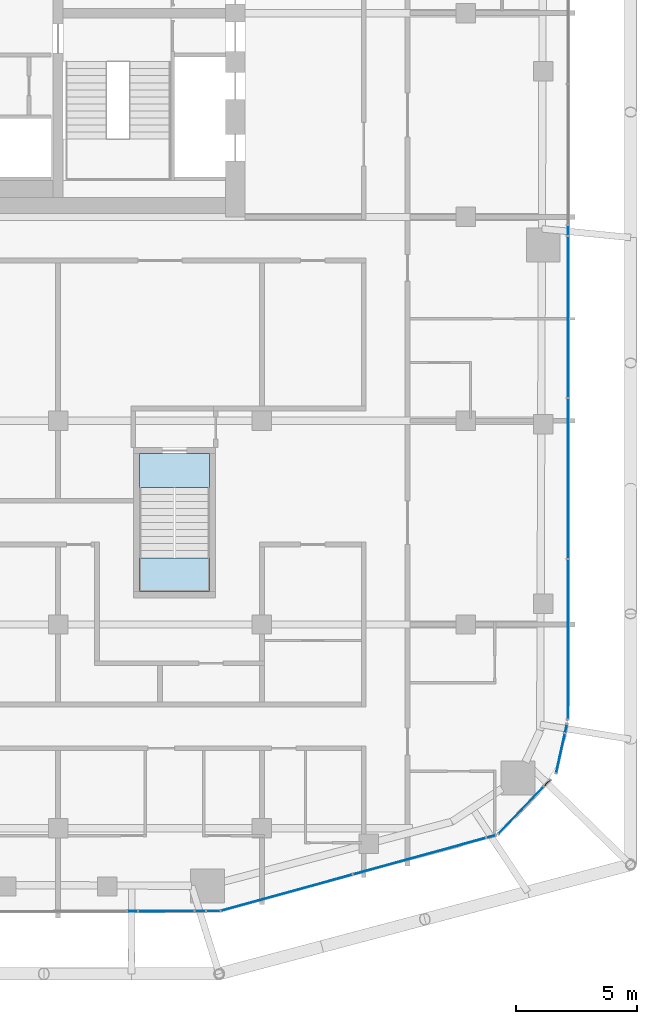
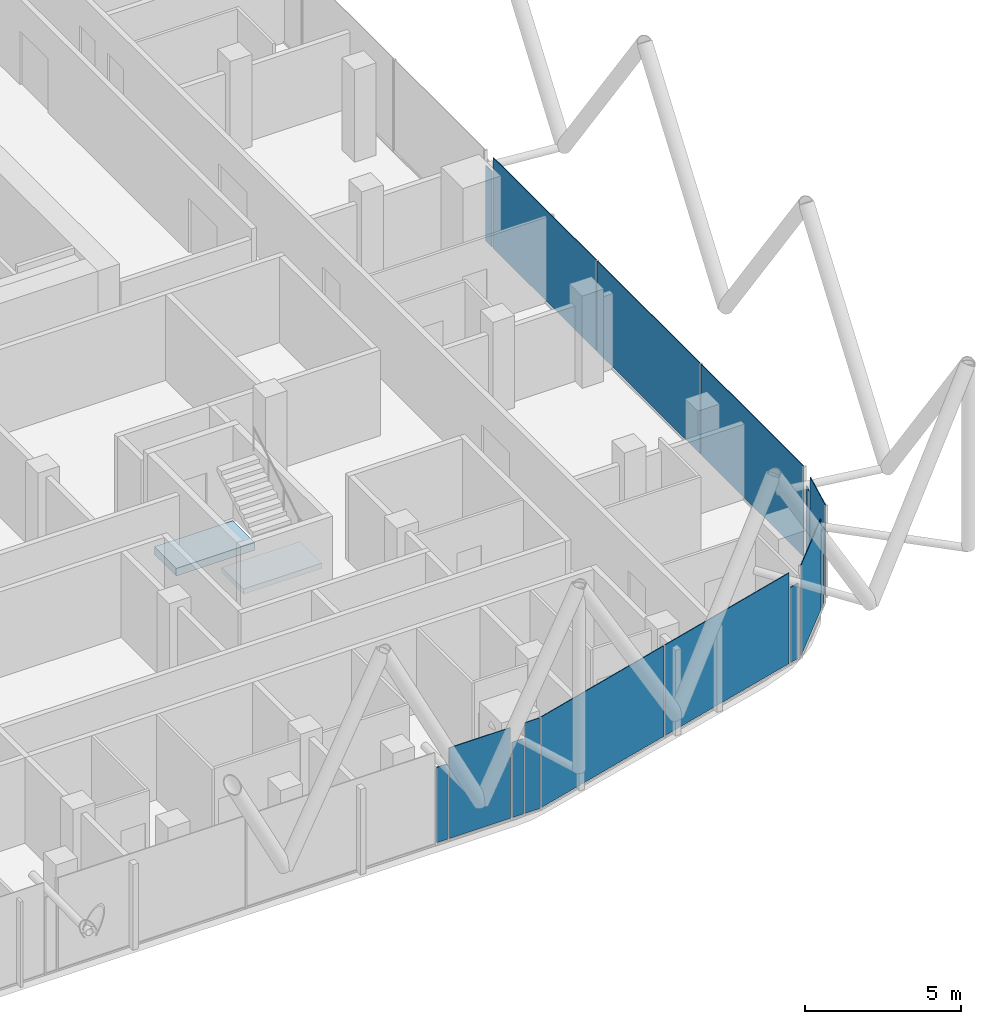
# One storey, part 18 of 31: 15 plates, 2 slabs, 13 elements without a shape of their own.
"""IFC4 building model written with IfcOpenShell, lengths in metres."""

import ifcopenshell
import ifcopenshell.guid

model = None  # the IFC model being written
_history = None  # IfcOwnerHistory: only IFC2X3 demands one
_inside = {}  # id of a spatial element -> (the spatial element, [elements in it])
_under = {}  # id of a project, library or spatial element -> (it, [spatial elements below it])
_declared = {}  # id of a project -> (the project, [libraries it declares])
_typed = {}  # id of a type object -> (the type object, [elements of that type])
_made_of = {}  # id of a material, layer set ... -> (it, [elements and type objects made of it])


def new_model(schema):
    """Start an empty IFC model of exactly this schema.

    Asked for "IFC4X3", IfcOpenShell would pick the latest addendum, in which some entities
    have other attributes; the version numbers below select the first issue.
    IFC2X3 requires an IfcOwnerHistory on every rooted entity: one is made here for all.
    """
    global model, _history
    if schema == "IFC4X3":
        model = ifcopenshell.file(schema_version=(4, 3, 0, 0))
    else:
        model = ifcopenshell.file(schema=schema)
    _inside.clear()
    _under.clear()
    _declared.clear()
    _typed.clear()
    _made_of.clear()
    _history = None
    if model.schema == "IFC2X3":
        org = make("IfcOrganization", Name="unknown")
        user = make(
            "IfcPersonAndOrganization",
            ThePerson=make("IfcPerson", FamilyName="unknown"),
            TheOrganization=org,
        )
        app = make(
            "IfcApplication",
            ApplicationDeveloper=org,
            Version="unknown",
            ApplicationFullName="unknown",
            ApplicationIdentifier="unknown",
        )
        _history = make(
            "IfcOwnerHistory",
            OwningUser=user,
            OwningApplication=app,
            ChangeAction="ADDED",
            CreationDate=0,
        )
    return model


def make(cls, **values):
    """One entity of the class cls with the attributes given. An attribute that is None is left unset."""
    return model.create_entity(
        cls, **{name: value for name, value in values.items() if value is not None}
    )


def rooted(cls, **values):
    """An entity with a GlobalId (a new one), such as an element, a storey or a relation."""
    return make(cls, GlobalId=ifcopenshell.guid.new(), OwnerHistory=_history, **values)


def si_unit(unit_type, name, prefix=None):
    """IfcSIUnit, for example si_unit("LENGTHUNIT", "METRE", prefix="MILLI")."""
    return make("IfcSIUnit", UnitType=unit_type, Prefix=prefix, Name=name)


def assignment(units):
    """IfcUnitAssignment: the units of a project."""
    return None if units is None else make("IfcUnitAssignment", Units=units)


def point(xyz):
    """IfcCartesianPoint."""
    return None if xyz is None else make("IfcCartesianPoint", Coordinates=xyz)


def direction(xyz):
    """IfcDirection."""
    return None if xyz is None else make("IfcDirection", DirectionRatios=xyz)


def frame(location, z_axis=None, x_axis=None):
    """IfcAxis2Placement3D, a coordinate frame: its origin and axes. An axis left out is left unset."""
    return make(
        "IfcAxis2Placement3D",
        Location=point(location),
        Axis=direction(z_axis),
        RefDirection=direction(x_axis),
    )


def frame_2d(location, x_axis=None):
    """IfcAxis2Placement2D, a coordinate frame in the plane: its origin and x axis."""
    return make(
        "IfcAxis2Placement2D", Location=point(location), RefDirection=direction(x_axis)
    )


def origin():
    """The frame at (0, 0, 0) with its axes left unset."""
    return frame((0.0, 0.0, 0.0))


def origin_2d():
    """The frame at (0, 0) in the plane with its x axis left unset."""
    return frame_2d((0.0, 0.0))


def place(relative_to, where):
    """IfcLocalPlacement: puts the frame where relative to a parent placement (None: the world)."""
    return make(
        "IfcLocalPlacement", PlacementRelTo=relative_to, RelativePlacement=where
    )


def context(
    kind, dimensions, precision=None, world=None, true_north=None, identifier=None
):
    """IfcGeometricRepresentationContext, for example the 3D "Model" context."""
    return make(
        "IfcGeometricRepresentationContext",
        ContextIdentifier=identifier,
        ContextType=kind,
        CoordinateSpaceDimension=dimensions,
        Precision=precision,
        WorldCoordinateSystem=world,
        TrueNorth=true_north,
    )


def subcontext(parent, identifier, kind, view, scale=None):
    """IfcGeometricRepresentationSubContext, for example "Body" below "Model"."""
    return make(
        "IfcGeometricRepresentationSubContext",
        ContextIdentifier=identifier,
        ContextType=kind,
        ParentContext=parent,
        TargetScale=scale,
        TargetView=view,
    )


def project(units=None, contexts=None):
    """IfcProject with its units and contexts."""
    return rooted(
        "IfcProject",
        Name="project",
        RepresentationContexts=contexts,
        UnitsInContext=assignment(units),
    )


def spatial(cls, under=None, at=None, **own):
    """A site, building, storey or space (cls), placed at a placement, below another one or the project."""
    s = rooted(cls, ObjectPlacement=at, **own)
    if under is not None:
        _under.setdefault(under.id(), (under, []))[1].append(s)
    return s


def polyline(points):
    """IfcPolyline through the points."""
    return make("IfcPolyline", Points=[point(p) for p in points])


def profile(cls, at=None, kind="AREA", **sizes):
    """A parametric profile (cls). Its sizes go by their IFC names, for example OverallWidth=200.0."""
    return make(cls, ProfileType=kind, Position=at, **sizes)


def rectangle(**sizes):
    """IfcRectangleProfileDef."""
    return profile("IfcRectangleProfileDef", **sizes)


def outline(outer, holes=None, kind="AREA"):
    """IfcArbitraryClosedProfileDef: a profile drawn as a closed curve; with holes, ...WithVoids."""
    if holes is None:
        return make("IfcArbitraryClosedProfileDef", ProfileType=kind, OuterCurve=outer)
    return make(
        "IfcArbitraryProfileDefWithVoids",
        ProfileType=kind,
        OuterCurve=outer,
        InnerCurves=holes,
    )


def extrude(swept, where, along, depth):
    """IfcExtrudedAreaSolid: the profile swept, set in the frame where, extruded along a direction by depth."""
    return make(
        "IfcExtrudedAreaSolid",
        SweptArea=swept,
        Position=where,
        ExtrudedDirection=direction(along),
        Depth=depth,
    )


def shape(context_of_items, identifier, shape_type, items):
    """IfcShapeRepresentation: the items that make up one representation, for example the "Body"."""
    return make(
        "IfcShapeRepresentation",
        ContextOfItems=context_of_items,
        RepresentationIdentifier=identifier,
        RepresentationType=shape_type,
        Items=items,
    )


def material(Name=None, Category=None):
    """IfcMaterial."""
    return make("IfcMaterial", Name=Name, Category=Category)


def layer(
    of_material, thickness, ventilated=None, Name=None, Category=None, Priority=None
):
    """IfcMaterialLayer: one layer of a wall or slab, of a material (None: an air gap)."""
    return make(
        "IfcMaterialLayer",
        Material=of_material,
        LayerThickness=thickness,
        IsVentilated=ventilated,
        Name=Name,
        Category=Category,
        Priority=Priority,
    )


def layer_set(layers, Name=None):
    """IfcMaterialLayerSet."""
    return make("IfcMaterialLayerSet", MaterialLayers=layers, LayerSetName=Name)


def made_of(thing, what):
    """Note that an element or type object is made of a material, layer set ...; save() writes the relation."""
    if what is not None:
        _made_of.setdefault(what.id(), (what, []))[1].append(thing)
    return thing


def type_object(cls, material=None, **own):
    """A type object (cls), such as IfcWallType, which elements share."""
    return made_of(rooted(cls, **own), material)


def element(
    cls,
    number,
    at=None,
    inside=None,
    cuts=None,
    type_object=None,
    material=None,
    context=None,
    identifier="Body",
    shape_type=None,
    held_by="IfcProductDefinitionShape",
    body=None,
    shapes=None,
    **own,
):
    """One element of the class cls, such as IfcWall. Its Tag is "e" and its number.

    at: its placement. inside: the storey or other place that contains it. cuts: it is an
    opening in that element (IfcRelVoidsElement). A single representation is given by context,
    identifier, shape_type and body (its items); several are given by shapes. held_by: the class
    of the entity that holds the representations. save() writes the other relations.
    """
    e = rooted(cls, Tag="e%d" % number, ObjectPlacement=at, **own)
    if body is not None:
        shapes = [shape(context, identifier, shape_type, body)]
    if shapes is not None:
        e.Representation = make(held_by, Representations=shapes)
    if inside is not None:
        _inside.setdefault(inside.id(), (inside, []))[1].append(e)
    if cuts is not None:
        rooted(
            "IfcRelVoidsElement", RelatingBuildingElement=cuts, RelatedOpeningElement=e
        )
    if type_object is not None:
        _typed.setdefault(type_object.id(), (type_object, []))[1].append(e)
    return made_of(e, material)


def aggregate(whole, parts):
    """IfcRelAggregates: a whole, such as a stair, and the parts it consists of."""
    return rooted("IfcRelAggregates", RelatingObject=whole, RelatedObjects=parts)


def save(model, path):
    """Write the relations noted so far, then the file.

    IfcRelAggregates (storeys below a building ...), IfcRelContainedInSpatialStructure (elements
    in a storey), IfcRelDefinesByType, IfcRelAssociatesMaterial and IfcRelDeclares: one each for
    every whole, place, type object, material and project.
    """
    for whole, parts in _under.values():
        aggregate(whole, parts)
    for where, things in _inside.values():
        rooted(
            "IfcRelContainedInSpatialStructure",
            RelatedElements=things,
            RelatingStructure=where,
        )
    for kind, things in _typed.values():
        rooted("IfcRelDefinesByType", RelatedObjects=things, RelatingType=kind)
    for what, things in _made_of.values():
        rooted("IfcRelAssociatesMaterial", RelatedObjects=things, RelatingMaterial=what)
    for by, libraries in _declared.values():
        rooted("IfcRelDeclares", RelatingContext=by, RelatedDefinitions=libraries)
    model.write(path)


model = new_model("IFC4")

# Units and contexts
model_context = context("Model", 3, precision=1e-05, world=origin(), true_north=direction((0.0, 1.0)))
body_context = subcontext(model_context, "Body", "Model", "MODEL_VIEW")
ifc_project = project(units=[si_unit("LENGTHUNIT", "METRE"), si_unit("AREAUNIT", "SQUARE_METRE"), si_unit("VOLUMEUNIT", "CUBIC_METRE"), si_unit("PLANEANGLEUNIT", "RADIAN"), si_unit("MASSUNIT", "GRAM", prefix="KILO")], contexts=[model_context])

# Site, building, storey
site_placement = place(None, origin())
site = spatial("IfcSite", under=ifc_project, at=site_placement, CompositionType="ELEMENT")
building_placement = place(site_placement, origin())
building = spatial("IfcBuilding", under=site, at=building_placement, Name="Marenta Gate Hotel Tower", CompositionType="ELEMENT")
storey_placement = place(building_placement, frame((0.0, 0.0, 205.699951171875)))
storey = spatial("IfcBuildingStorey", under=building, at=storey_placement, Name="L47", CompositionType="ELEMENT", Elevation=205.699951171875)

# Curtain wall, plate
ifc_material_1 = material(Name="Tinted insulated glass in bronze anodised frame", Category="glass")
ifc_layer_1 = layer(ifc_material_1, 0.1201171875)
ifc_layer_set_1 = layer_set([ifc_layer_1], Name="Tinted insulated glass in bronze anodised frame")
curtain_wall_type = type_object("IfcCurtainWallType", Name="Tower unitised curtain wall CW1", PredefinedType="NOTDEFINED", material=ifc_layer_set_1)
curtain_wall_1_placement = place(storey_placement, origin())
curtain_wall_1 = element("IfcCurtainWall", 1, at=curtain_wall_1_placement, inside=storey, type_object=curtain_wall_type, Name="CW1 run G22", PredefinedType="NOTDEFINED")
ifc_material_2 = material(Name="Tinted insulated glass", Category="glass")
ifc_layer_2 = layer(ifc_material_2, 0.028076171875)
ifc_layer_set_2 = layer_set([ifc_layer_2], Name="Tinted insulated glass")
plate_type = type_object("IfcPlateType", Name="Glass panel CW1 28 mm tinted insulated unit", PredefinedType="CURTAIN_PANEL", material=ifc_layer_set_2)
plate_1_placement = place(storey_placement, frame((7.265869140625, -28.618408203125, 0.06005859375), z_axis=(0.0, 0.0, 1.0), x_axis=(0.999998441306, 0.001765611905, 0.0)))
plate_1 = element("IfcPlate", 2, at=plate_1_placement, type_object=plate_type, Name="CW1 panel 1.1", PredefinedType="CURTAIN_PANEL", context=body_context, shape_type="SweptSolid", body=[
    extrude(rectangle(XDim=0.39306640625, YDim=0.028076171875, at=origin_2d()), origin(), (0.0, 0.0, 1.0), 2.9404296875),
])
aggregate(curtain_wall_1, [plate_1])

curtain_wall_2_placement = place(storey_placement, origin())
curtain_wall_2 = element("IfcCurtainWall", 3, at=curtain_wall_2_placement, inside=storey, type_object=curtain_wall_type, Name="CW1 run G23", PredefinedType="NOTDEFINED")
plate_2_placement = place(storey_placement, frame((8.65869140625, -28.6162109375, 0.06005859375), z_axis=(0.0, 0.0, 1.0), x_axis=(0.999998672819, 0.001629220957, 0.0)))
plate_2 = element("IfcPlate", 4, at=plate_2_placement, type_object=plate_type, Name="CW1 panel 1.1", PredefinedType="CURTAIN_PANEL", context=body_context, shape_type="SweptSolid", body=[
    extrude(rectangle(XDim=2.2724609375, YDim=0.028076171875, at=origin_2d()), origin(), (0.0, 0.0, 1.0), 3.5400390625),
])
aggregate(curtain_wall_2, [plate_2])

curtain_wall_3_placement = place(storey_placement, origin())
curtain_wall_3 = element("IfcCurtainWall", 5, at=curtain_wall_3_placement, inside=storey, type_object=curtain_wall_type, Name="CW1 run G24", PredefinedType="NOTDEFINED")
plate_3_placement = place(storey_placement, frame((10.06201171875, -28.614013671875, 0.06005859375), z_axis=(0.0, 0.0, 1.0), x_axis=(0.999998577531, 0.001686693784, 0.0)))
plate_3 = element("IfcPlate", 6, at=plate_3_placement, type_object=plate_type, Name="CW1 panel 1.1", PredefinedType="CURTAIN_PANEL", context=body_context, shape_type="SweptSolid", body=[
    extrude(rectangle(XDim=0.414306640625, YDim=0.028076171875, at=origin_2d()), origin(), (0.0, 0.0, 1.0), 2.9404296875),
])
aggregate(curtain_wall_3, [plate_3])

curtain_wall_4_placement = place(storey_placement, origin())
curtain_wall_4 = element("IfcCurtainWall", 7, at=curtain_wall_4_placement, inside=storey, type_object=curtain_wall_type, Name="CW1 run G25", PredefinedType="NOTDEFINED")
plate_4_placement = place(storey_placement, frame((10.601318359375, -28.613037109375, 0.06005859375), z_axis=(0.0, 0.0, 1.0), x_axis=(0.999998631715, 0.001654257461, 0.0)))
plate_4 = element("IfcPlate", 8, at=plate_4_placement, type_object=plate_type, Name="CW1 panel 1.1", PredefinedType="CURTAIN_PANEL", context=body_context, shape_type="SweptSolid", body=[
    extrude(rectangle(XDim=0.54443359375, YDim=0.028076171875, at=origin_2d()), origin(), (0.0, 0.0, 1.0), 3.5400390625),
])
aggregate(curtain_wall_4, [plate_4])

# Curtain wall, plates
curtain_wall_5_placement = place(storey_placement, origin())
curtain_wall_5 = element("IfcCurtainWall", 9, at=curtain_wall_5_placement, inside=storey, type_object=curtain_wall_type, Name="CW1 run G26", PredefinedType="NOTDEFINED")
plate_5_placement = place(storey_placement, frame((13.624755859375, -27.85546875, 0.06005859375), z_axis=(0.0, 0.0, 1.0), x_axis=(0.964167605329, 0.265293853742, 0.0)))
plate_5 = element("IfcPlate", 10, at=plate_5_placement, type_object=plate_type, Name="CW1 panel 1.1", PredefinedType="CURTAIN_PANEL", context=body_context, shape_type="SweptSolid", body=[
    extrude(rectangle(XDim=5.58642578125, YDim=0.028076171875, at=origin_2d()), origin(), (0.0, 0.0, 1.0), 3.5400390625),
])
plate_6_placement = place(storey_placement, frame((19.09765625, -26.349609375, 0.06005859375), z_axis=(0.0, 0.0, 1.0), x_axis=(0.964167605329, 0.265293853742, 0.0)))
plate_6 = element("IfcPlate", 11, at=plate_6_placement, type_object=plate_type, Name="CW1 panel 2.1", PredefinedType="CURTAIN_PANEL", context=body_context, shape_type="SweptSolid", body=[
    extrude(rectangle(XDim=5.646240234375, YDim=0.028076171875, at=origin_2d()), origin(), (0.0, 0.0, 1.0), 3.5400390625),
])
aggregate(curtain_wall_5, [plate_5, plate_6])

# Curtain wall, plate
curtain_wall_6_placement = place(storey_placement, origin())
curtain_wall_6 = element("IfcCurtainWall", 12, at=curtain_wall_6_placement, inside=storey, type_object=curtain_wall_type, Name="CW1 run G27", PredefinedType="NOTDEFINED")
plate_7_placement = place(storey_placement, frame((22.04931640625, -25.53759765625, 0.06005859375), z_axis=(0.0, 0.0, 1.0), x_axis=(0.964170506749, 0.265283308776, 0.0)))
plate_7 = element("IfcPlate", 13, at=plate_7_placement, type_object=plate_type, Name="CW1 panel 1.1", PredefinedType="CURTAIN_PANEL", context=body_context, shape_type="SweptSolid", body=[
    extrude(rectangle(XDim=0.3564453125, YDim=0.028076171875, at=origin_2d()), origin(), (0.0, 0.0, 1.0), 2.9404296875),
])
aggregate(curtain_wall_6, [plate_7])

curtain_wall_7_placement = place(storey_placement, origin())
curtain_wall_7 = element("IfcCurtainWall", 14, at=curtain_wall_7_placement, inside=storey, type_object=curtain_wall_type, Name="CW1 run G28", PredefinedType="NOTDEFINED")
plate_8_placement = place(storey_placement, frame((23.284912109375, -24.461669921875, 0.06005859375), z_axis=(0.0, 0.0, 1.0), x_axis=(0.692544874237, 0.721374796599, 0.0)))
plate_8 = element("IfcPlate", 15, at=plate_8_placement, type_object=plate_type, Name="CW1 panel 1.1", PredefinedType="CURTAIN_PANEL", context=body_context, shape_type="SweptSolid", body=[
    extrude(rectangle(XDim=2.652587890625, YDim=0.028076171875, at=origin_2d()), origin(), (0.0, 0.0, 1.0), 3.5400390625),
])
aggregate(curtain_wall_7, [plate_8])

curtain_wall_8_placement = place(storey_placement, origin())
curtain_wall_8 = element("IfcCurtainWall", 16, at=curtain_wall_8_placement, inside=storey, type_object=curtain_wall_type, Name="CW1 run G29", PredefinedType="NOTDEFINED")
plate_9_placement = place(storey_placement, frame((24.360107421875, -23.341552734375, 0.06005859375), z_axis=(0.0, 0.0, 1.0), x_axis=(0.692499661278, 0.721418199888, 0.0)))
plate_9 = element("IfcPlate", 17, at=plate_9_placement, type_object=plate_type, Name="CW1 panel 1.1", PredefinedType="CURTAIN_PANEL", context=body_context, shape_type="SweptSolid", body=[
    extrude(rectangle(XDim=0.3330078125, YDim=0.028076171875, at=origin_2d()), origin(), (0.0, 0.0, 1.0), 2.9404296875),
])
aggregate(curtain_wall_8, [plate_9])

curtain_wall_9_placement = place(storey_placement, origin())
curtain_wall_9 = element("IfcCurtainWall", 18, at=curtain_wall_9_placement, inside=storey, type_object=curtain_wall_type, Name="CW1 run G30", PredefinedType="NOTDEFINED")
plate_10_placement = place(storey_placement, frame((24.910400390625, -22.110595703125, 0.06005859375), z_axis=(0.0, 0.0, 1.0), x_axis=(0.21681792113, 0.97621206153, 0.0)))
plate_10 = element("IfcPlate", 19, at=plate_10_placement, type_object=plate_type, Name="CW1 panel 1.1", PredefinedType="CURTAIN_PANEL", context=body_context, shape_type="SweptSolid", body=[
    extrude(rectangle(XDim=1.633544921875, YDim=0.028076171875, at=origin_2d()), origin(), (0.0, 0.0, 1.0), 3.5400390625),
])
aggregate(curtain_wall_9, [plate_10])

curtain_wall_10_placement = place(storey_placement, origin())
curtain_wall_10 = element("IfcCurtainWall", 20, at=curtain_wall_10_placement, inside=storey, type_object=curtain_wall_type, Name="CW1 run G31", PredefinedType="NOTDEFINED")
plate_11_placement = place(storey_placement, frame((25.13671875, -21.091796875, 0.06005859375), z_axis=(0.0, 0.0, 1.0), x_axis=(0.216883782439, 0.976197431319, 0.0)))
plate_11 = element("IfcPlate", 21, at=plate_11_placement, type_object=plate_type, Name="CW1 panel 1.1", PredefinedType="CURTAIN_PANEL", context=body_context, shape_type="SweptSolid", body=[
    extrude(rectangle(XDim=0.333740234375, YDim=0.028076171875, at=origin_2d()), origin(), (0.0, 0.0, 1.0), 2.9404296875),
])
aggregate(curtain_wall_10, [plate_11])

# Curtain wall, plates
curtain_wall_11_placement = place(storey_placement, origin())
curtain_wall_11 = element("IfcCurtainWall", 22, at=curtain_wall_11_placement, inside=storey, type_object=curtain_wall_type, Name="CW1 run G32", PredefinedType="NOTDEFINED")
plate_12_placement = place(storey_placement, frame((25.214111328125, -17.40869140625, 0.06005859375), z_axis=(0.0, 0.0, 1.0), x_axis=(0.0, 1.0, 0.0)))
plate_12 = element("IfcPlate", 23, at=plate_12_placement, type_object=plate_type, Name="CW1 panel 1.1", PredefinedType="CURTAIN_PANEL", context=body_context, shape_type="SweptSolid", body=[
    extrude(rectangle(XDim=6.55029296875, YDim=0.028076171875, at=origin_2d()), origin(), (0.0, 0.0, 1.0), 3.5400390625),
])
plate_13_placement = place(storey_placement, frame((25.214111328125, -10.783447265625, 0.06005859375), z_axis=(0.0, 0.0, 1.0), x_axis=(0.0, 1.0, 0.0)))
plate_13 = element("IfcPlate", 24, at=plate_13_placement, type_object=plate_type, Name="CW1 panel 2.1", PredefinedType="CURTAIN_PANEL", context=body_context, shape_type="SweptSolid", body=[
    extrude(rectangle(XDim=6.580322265625, YDim=0.028076171875, at=origin_2d()), origin(), (0.0, 0.0, 1.0), 3.5400390625),
])
plate_14_placement = place(storey_placement, frame((25.214111328125, -4.128173828125, 0.06005859375), z_axis=(0.0, 0.0, 1.0), x_axis=(0.0, 1.0, 0.0)))
plate_14 = element("IfcPlate", 25, at=plate_14_placement, type_object=plate_type, Name="CW1 panel 3.1", PredefinedType="CURTAIN_PANEL", context=body_context, shape_type="SweptSolid", body=[
    extrude(rectangle(XDim=6.6103515625, YDim=0.028076171875, at=origin_2d()), origin(), (0.0, 0.0, 1.0), 3.5400390625),
])
aggregate(curtain_wall_11, [plate_12, plate_13, plate_14])

# Curtain wall, plate
curtain_wall_12_placement = place(storey_placement, origin())
curtain_wall_12 = element("IfcCurtainWall", 26, at=curtain_wall_12_placement, inside=storey, type_object=curtain_wall_type, Name="CW1 run G33", PredefinedType="NOTDEFINED")
plate_15_placement = place(storey_placement, frame((25.214111328125, -0.5654296875, 0.06005859375), z_axis=(0.0, 0.0, 1.0), x_axis=(0.0, 1.0, 0.0)))
plate_15 = element("IfcPlate", 27, at=plate_15_placement, type_object=plate_type, Name="CW1 panel 1.1", PredefinedType="CURTAIN_PANEL", context=body_context, shape_type="SweptSolid", body=[
    extrude(rectangle(XDim=0.395263671875, YDim=0.028076171875, at=origin_2d()), origin(), (0.0, 0.0, 1.0), 2.9404296875),
])
aggregate(curtain_wall_12, [plate_15])

# Stair, slab
ifc_material_3 = material(Name="Concrete C40", Category="concrete")
stair_type = type_object("IfcStairType", Name="Remote exit stair 1400 wide", PredefinedType="HALF_TURN_STAIR", material=ifc_material_3)
stair_placement = place(storey_placement, origin())
stair = element("IfcStair", 28, at=stair_placement, inside=storey, type_object=stair_type, Name="Exit stair RS-Z3-2", PredefinedType="HALF_TURN_STAIR")
ifc_material_4 = material(Name="Concrete C40", Category="concrete")
ifc_layer_3 = layer(ifc_material_4, 0.199951171875)
ifc_layer_set_3 = layer_set([ifc_layer_3], Name="Concrete C40")
slab_type_1 = type_object("IfcSlabType", Name="Remote stair landing 200", PredefinedType="LANDING", material=ifc_layer_set_3)
slab_1_placement = place(storey_placement, frame((0.0, 0.0, 1.60009765625)))
slab_1 = element("IfcSlab", 29, at=slab_1_placement, type_object=slab_type_1, Name="RL-200 RS-Z3-2 landing 1", PredefinedType="LANDING", context=body_context, shape_type="SweptSolid", body=[
    extrude(outline(polyline([(7.550048828125, -15.449951171875), (10.449951171875, -15.449951171875), (10.449951171875, -14.050048828125), (7.550048828125, -14.050048828125), (7.550048828125, -15.449951171875)])), origin(), (0.0, 0.0, 1.0), 0.199951171875),
])
aggregate(stair, [slab_1])

# Slab
ifc_material_5 = material(Name="Concrete C40", Category="concrete")
ifc_layer_4 = layer(ifc_material_5, 0.300048828125)
ifc_layer_set_4 = layer_set([ifc_layer_4], Name="Concrete C40")
slab_type_2 = type_object("IfcSlabType", Name="Stair floor landing slab 300", PredefinedType="FLOOR", material=ifc_layer_set_4)
slab_2_placement = place(storey_placement, frame((0.0, 0.0, -0.300048828125)))
element("IfcSlab", 30, at=slab_2_placement, inside=storey, type_object=slab_type_2, Name="L47-RS-Z3-2-CL", PredefinedType="FLOOR", context=body_context, shape_type="SweptSolid", body=[
    extrude(outline(polyline([(10.449951171875, -11.14990234375), (10.449951171875, -9.75), (7.550048828125, -9.75), (7.550048828125, -11.14990234375), (10.449951171875, -11.14990234375)])), origin(), (0.0, 0.0, 1.0), 0.300048828125),
])

save(model, "model.ifc")
